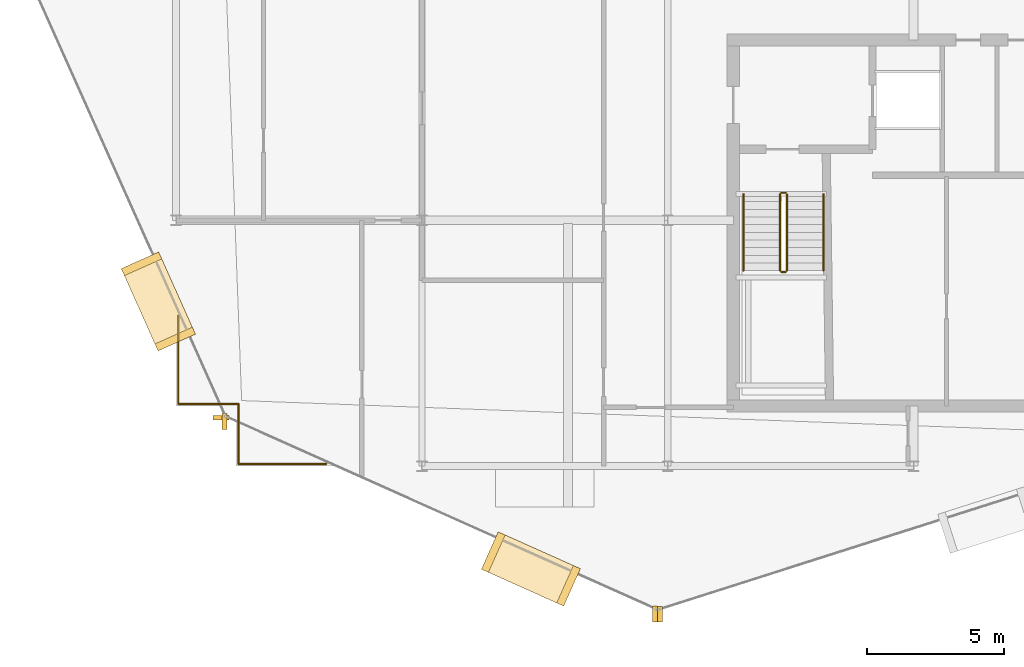
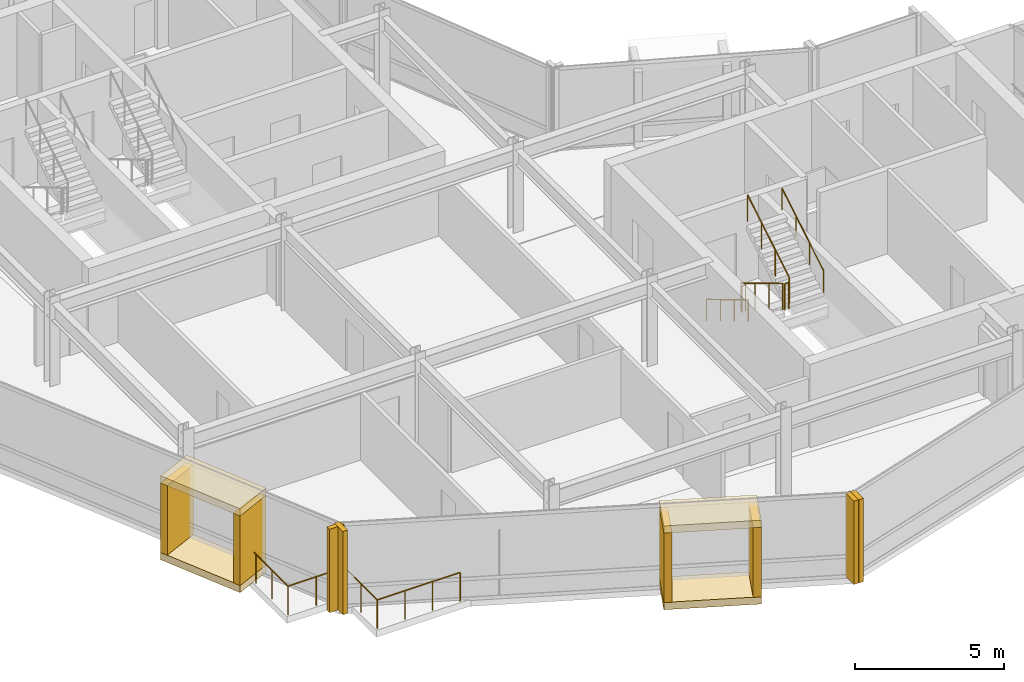
# One storey, part 16 of 19: 12 coverings, 10 railings.
"""IFC4 building model written with IfcOpenShell, lengths in metres."""

from ifc_helpers import new_model, si_unit, direction, frame, origin, origin_2d, place, context, subcontext, project, spatial, rectangle, circle, extrude, material, layer, layer_set, type_object, element, save


model = new_model("IFC4")

# Units and contexts
model_context = context("Model", 3, precision=1e-05, world=origin(), true_north=direction((0.0, 1.0)))
body_context = subcontext(model_context, "Body", "Model", "MODEL_VIEW")
ifc_project = project(units=[si_unit("LENGTHUNIT", "METRE"), si_unit("AREAUNIT", "SQUARE_METRE"), si_unit("VOLUMEUNIT", "CUBIC_METRE"), si_unit("PLANEANGLEUNIT", "RADIAN"), si_unit("MASSUNIT", "GRAM", prefix="KILO")], contexts=[model_context])

# Site, building, storey
site_placement = place(None, origin())
site = spatial("IfcSite", under=ifc_project, at=site_placement, CompositionType="ELEMENT")
building_placement = place(site_placement, origin())
building = spatial("IfcBuilding", under=site, at=building_placement, Name="Solvaryn Broadcast Tower", CompositionType="ELEMENT")
storey_placement = place(building_placement, frame((0.0, 0.0, 263.0)))
storey = spatial("IfcBuildingStorey", under=building, at=storey_placement, Name="L66", CompositionType="ELEMENT", Elevation=263.0)

# Coverings
ifc_material_1 = material(Name="Glazed Architectural Terracotta Rainscreen Cladding", Category="masonry")
ifc_layer_1 = layer(ifc_material_1, 0.280029296875)
ifc_layer_set_1 = layer_set([ifc_layer_1], Name="CV-TC-CLAD")
covering_type_1 = type_object("IfcCoveringType", Name="CV-TC-CLAD", PredefinedType="CLADDING", material=ifc_layer_set_1)
for number, where, z_axis, x_axis, name in (
    (1, (8.35107421875, 15.030029296875, 3.1298828125), (0.0, 0.0, 1.0), (0.408489773781, -0.91276289622, 0.0), "L66 Projecting Stone Window Box Hood 2"),
    (2, (8.35107421875, 15.030029296875, -0.01025390625), (0.0, 0.0, 1.0), (0.408489773781, -0.91276289622, 0.0), "L66 Projecting Stone Window Box Sill 2"),
):
    element("IfcCovering", number, at=place(storey_placement, frame(where, z_axis=z_axis, x_axis=x_axis)), inside=storey, type_object=covering_type_1, Name=name, PredefinedType="CLADDING", context=body_context, shape_type="SweptSolid", body=[
        extrude(rectangle(XDim=3.300048828125, YDim=1.5, at=origin_2d()), origin(), (0.0, 0.0, 1.0), 0.300048828125),
    ])
for number, where, z_axis, x_axis, name in (
    (3, (7.734130859375, 16.408203125, 0.27978515625), (0.0, 0.0, 1.0), (0.408489773781, -0.91276289622, 0.0), "L66 Projecting Stone Window Box Cheek 2-1"),
    (4, (8.9677734375, 13.651611328125, 0.27978515625), (0.0, 0.0, 1.0), (0.408489773781, -0.91276289622, 0.0), "L66 Projecting Stone Window Box Cheek 2-2"),
):
    element("IfcCovering", number, at=place(storey_placement, frame(where, z_axis=z_axis, x_axis=x_axis)), inside=storey, type_object=covering_type_1, Name=name, PredefinedType="CLADDING", context=body_context, shape_type="SweptSolid", body=[
        extrude(rectangle(XDim=0.280029296875, YDim=1.5, at=origin_2d()), origin(), (0.0, 0.0, 1.0), 2.860107421875),
    ])
for number, where, z_axis, x_axis, name in (
    (5, (21.989990234375, 5.236083984375, 3.1298828125), (0.0, 0.0, 1.0), (0.91276289622, -0.408489773781, 0.0), "L66 Projecting Stone Window Box Hood 3"),
    (6, (21.989990234375, 5.236083984375, -0.01025390625), (0.0, 0.0, 1.0), (0.91276289622, -0.408489773781, 0.0), "L66 Projecting Stone Window Box Sill 3"),
):
    element("IfcCovering", number, at=place(storey_placement, frame(where, z_axis=z_axis, x_axis=x_axis)), inside=storey, type_object=covering_type_1, Name=name, PredefinedType="CLADDING", context=body_context, shape_type="SweptSolid", body=[
        extrude(rectangle(XDim=3.300048828125, YDim=1.5, at=origin_2d()), origin(), (0.0, 0.0, 1.0), 0.300048828125),
    ])
for number, where, z_axis, x_axis, name in (
    (7, (20.61181640625, 5.852783203125, 0.27978515625), (0.0, 0.0, 1.0), (0.91276289622, -0.408489773781, 0.0), "L66 Projecting Stone Window Box Cheek 3-1"),
    (8, (23.368408203125, 4.619140625, 0.27978515625), (0.0, 0.0, 1.0), (0.91276289622, -0.408489773781, 0.0), "L66 Projecting Stone Window Box Cheek 3-2"),
):
    element("IfcCovering", number, at=place(storey_placement, frame(where, z_axis=z_axis, x_axis=x_axis)), inside=storey, type_object=covering_type_1, Name=name, PredefinedType="CLADDING", context=body_context, shape_type="SweptSolid", body=[
        extrude(rectangle(XDim=0.280029296875, YDim=1.5, at=origin_2d()), origin(), (0.0, 0.0, 1.0), 2.860107421875),
    ])
ifc_material_2 = material(Name="Extruded Architectural Terracotta Fin", Category="masonry")
ifc_layer_2 = layer(ifc_material_2, 0.179931640625)
ifc_layer_set_2 = layer_set([ifc_layer_2], Name="CV-TC-FIN")
covering_type_2 = type_object("IfcCoveringType", Name="CV-TC-FIN", PredefinedType="USERDEFINED", material=ifc_layer_set_2)
covering_placement = place(storey_placement, frame((10.640380859375, 10.77099609375, 0.0), z_axis=(0.0, 0.0, 1.0), x_axis=(1.0, 0.0, 0.0)))
element("IfcCovering", 9, at=covering_placement, inside=storey, type_object=covering_type_2, Name="L66 Terracotta Vertical Fin FIN-L66-DR2-M01", ObjectType="FIN", PredefinedType="USERDEFINED", context=body_context, shape_type="SweptSolid", body=[
    extrude(rectangle(XDim=0.580078125, YDim=0.179931640625, at=origin_2d()), origin(), (0.0, 0.0, 1.0), 3.419921875),
])
for number, where, z_axis, x_axis, name in (
    (10, (10.77099609375, 10.640380859375, 0.0), (0.0, 0.0, 1.0), (1.0, 0.0, 0.0), "L66 Terracotta Vertical Fin FIN-L66-DR3-M00"),
    (11, (26.53515625, 3.5859375, 0.0), (0.0, 0.0, 1.0), (1.0, 0.0, 0.0), "L66 Terracotta Vertical Fin FIN-L66-DR3-M01"),
    (12, (26.71923828125, 3.575439453125, 0.0), (0.0, 0.0, 1.0), (1.0, 0.0, 0.0), "L66 Terracotta Vertical Fin FIN-L66-DR4-M00"),
):
    element("IfcCovering", number, at=place(storey_placement, frame(where, z_axis=z_axis, x_axis=x_axis)), inside=storey, type_object=covering_type_2, Name=name, ObjectType="FIN", PredefinedType="USERDEFINED", context=body_context, shape_type="SweptSolid", body=[
        extrude(rectangle(XDim=0.179931640625, YDim=0.580078125, at=origin_2d()), origin(), (0.0, 0.0, 1.0), 3.419921875),
    ])

# Railings
ifc_material_3 = material(Name="Stainless Steel and Laminated Glass Guard", Category="steel")
railing_type_1 = type_object("IfcRailingType", Name="RL-SKYG-1200", PredefinedType="BALUSTRADE", material=ifc_material_3)
railing_1_placement = place(storey_placement, frame((9.080078125, 14.5, 0.0)))
element("IfcRailing", 13, at=railing_1_placement, inside=storey, type_object=railing_type_1, Name="L66 Upper SW Corner Balustrade 1", PredefinedType="BALUSTRADE", context=body_context, shape_type="SweptSolid", body=[
    extrude(circle(Radius=0.02392578125, at=origin_2d()), frame((0.0, 0.0, 1.17578125), z_axis=(0.0, -1.0, 0.0), x_axis=(1.0, 0.0, 0.0)), (0.0, 0.0, 1.0), 3.219970703125),
    extrude(circle(Radius=0.02099609375, at=origin_2d()), origin(), (0.0, 0.0, 1.0), 1.15185546875),
    extrude(circle(Radius=0.02099609375, at=origin_2d()), frame((0.0, -1.0732421875, 0.0)), (0.0, 0.0, 1.0), 1.15185546875),
    extrude(circle(Radius=0.02099609375, at=origin_2d()), frame((0.0, -2.146728515625, 0.0)), (0.0, 0.0, 1.0), 1.15185546875),
    extrude(circle(Radius=0.02099609375, at=origin_2d()), frame((0.0, -3.219970703125, 0.0)), (0.0, 0.0, 1.0), 1.15185546875),
])
railing_2_placement = place(storey_placement, frame((9.080078125, 11.280029296875, 0.0)))
element("IfcRailing", 14, at=railing_2_placement, inside=storey, type_object=railing_type_1, Name="L66 Upper SW Corner Balustrade 2", PredefinedType="BALUSTRADE", context=body_context, shape_type="SweptSolid", body=[
    extrude(circle(Radius=0.02392578125, at=origin_2d()), frame((0.0, 0.0, 1.17578125), z_axis=(1.0, 0.0, 0.0), x_axis=(0.0, 1.0, 0.0)), (0.0, 0.0, 1.0), 2.199951171875),
    extrude(circle(Radius=0.02099609375, at=origin_2d()), origin(), (0.0, 0.0, 1.0), 1.15185546875),
    extrude(circle(Radius=0.02099609375, at=origin_2d()), frame((1.10009765625, 0.0, 0.0)), (0.0, 0.0, 1.0), 1.15185546875),
    extrude(circle(Radius=0.02099609375, at=origin_2d()), frame((2.199951171875, 0.0, 0.0)), (0.0, 0.0, 1.0), 1.15185546875),
])
railing_3_placement = place(storey_placement, frame((11.280029296875, 11.280029296875, 0.0)))
element("IfcRailing", 15, at=railing_3_placement, inside=storey, type_object=railing_type_1, Name="L66 Upper SW Corner Balustrade 3", PredefinedType="BALUSTRADE", context=body_context, shape_type="SweptSolid", body=[
    extrude(circle(Radius=0.02392578125, at=origin_2d()), frame((0.0, 0.0, 1.17578125), z_axis=(0.0, -1.0, 0.0), x_axis=(1.0, 0.0, 0.0)), (0.0, 0.0, 1.0), 2.199951171875),
    extrude(circle(Radius=0.02099609375, at=origin_2d()), origin(), (0.0, 0.0, 1.0), 1.15185546875),
    extrude(circle(Radius=0.02099609375, at=origin_2d()), frame((0.0, -1.10009765625, 0.0)), (0.0, 0.0, 1.0), 1.15185546875),
    extrude(circle(Radius=0.02099609375, at=origin_2d()), frame((0.0, -2.199951171875, 0.0)), (0.0, 0.0, 1.0), 1.15185546875),
])
railing_4_placement = place(storey_placement, frame((11.280029296875, 9.080078125, 0.0)))
element("IfcRailing", 16, at=railing_4_placement, inside=storey, type_object=railing_type_1, Name="L66 Upper SW Corner Balustrade 4", PredefinedType="BALUSTRADE", context=body_context, shape_type="SweptSolid", body=[
    extrude(circle(Radius=0.02392578125, at=origin_2d()), frame((0.0, 0.0, 1.17578125), z_axis=(1.0, 0.0, 0.0), x_axis=(0.0, 1.0, 0.0)), (0.0, 0.0, 1.0), 3.219970703125),
    extrude(circle(Radius=0.02099609375, at=origin_2d()), origin(), (0.0, 0.0, 1.0), 1.15185546875),
    extrude(circle(Radius=0.02099609375, at=origin_2d()), frame((1.0732421875, 0.0, 0.0)), (0.0, 0.0, 1.0), 1.15185546875),
    extrude(circle(Radius=0.02099609375, at=origin_2d()), frame((2.146728515625, 0.0, 0.0)), (0.0, 0.0, 1.0), 1.15185546875),
    extrude(circle(Radius=0.02099609375, at=origin_2d()), frame((3.219970703125, 0.0, 0.0)), (0.0, 0.0, 1.0), 1.15185546875),
])
ifc_material_4 = material(Name="Painted Steel Stair Well Guard", Category="steel")
railing_type_2 = type_object("IfcRailingType", Name="RL-STAIR-GUARD", PredefinedType="BALUSTRADE", material=ifc_material_4)
railing_5_placement = place(storey_placement, frame((31.110107421875, 18.9599609375, 0.168212890625)))
element("IfcRailing", 17, at=railing_5_placement, inside=storey, type_object=railing_type_2, Name="L66 ST3 stair guard 1", PredefinedType="BALUSTRADE", context=body_context, shape_type="SweptSolid", body=[
    extrude(circle(Radius=0.02392578125, at=origin_2d()), frame((0.0, 0.0, 1.076171875), z_axis=(0.0, -0.857242210791, 0.514913383045), x_axis=(1.0, 0.0, 0.0)), (0.0, 0.0, 1.0), 3.266357421875),
    extrude(circle(Radius=0.02099609375, at=origin_2d()), origin(), (0.0, 0.0, 1.0), 1.052001953125),
    extrude(circle(Radius=0.02099609375, at=origin_2d()), frame((0.0, -0.933349609375, 0.560546875)), (0.0, 0.0, 1.0), 1.052001953125),
    extrude(circle(Radius=0.02099609375, at=origin_2d()), frame((0.0, -1.86669921875, 1.121337890625)), (0.0, 0.0, 1.0), 1.052001953125),
    extrude(circle(Radius=0.02099609375, at=origin_2d()), frame((0.0, -2.800048828125, 1.681884765625)), (0.0, 0.0, 1.0), 1.052001953125),
])
railing_6_placement = place(storey_placement, frame((31.159912109375, 16.110107421875, 1.85009765625)))
element("IfcRailing", 18, at=railing_6_placement, inside=storey, type_object=railing_type_2, Name="L66 ST3 stair guard 2", PredefinedType="BALUSTRADE", context=body_context, shape_type="SweptSolid", body=[
    extrude(circle(Radius=0.02392578125, at=origin_2d()), frame((0.0, 0.0, 1.076171875), z_axis=(1.0, 0.0, 0.0), x_axis=(0.0, 1.0, 0.0)), (0.0, 0.0, 1.0), 0.150146484375),
    extrude(circle(Radius=0.02099609375, at=origin_2d()), origin(), (0.0, 0.0, 1.0), 1.052001953125),
    extrude(circle(Radius=0.02099609375, at=origin_2d()), frame((0.150146484375, 0.0, 0.0)), (0.0, 0.0, 1.0), 1.052001953125),
])
railing_7_placement = place(storey_placement, frame((31.360107421875, 16.159912109375, 2.01806640625)))
element("IfcRailing", 19, at=railing_7_placement, inside=storey, type_object=railing_type_2, Name="L66 ST3 stair guard 3", PredefinedType="BALUSTRADE", context=body_context, shape_type="SweptSolid", body=[
    extrude(circle(Radius=0.02392578125, at=origin_2d()), frame((0.0, 0.0, 1.076171875), z_axis=(0.0, 0.857242210791, 0.514913383045), x_axis=(-1.0, 0.0, 0.0)), (0.0, 0.0, 1.0), 3.266357421875),
    extrude(circle(Radius=0.02099609375, at=origin_2d()), origin(), (0.0, 0.0, 1.0), 1.052001953125),
    extrude(circle(Radius=0.02099609375, at=origin_2d()), frame((0.0, 0.933349609375, 0.560546875)), (0.0, 0.0, 1.0), 1.052001953125),
    extrude(circle(Radius=0.02099609375, at=origin_2d()), frame((0.0, 1.86669921875, 1.121337890625)), (0.0, 0.0, 1.0), 1.052001953125),
    extrude(circle(Radius=0.02099609375, at=origin_2d()), frame((0.0, 2.800048828125, 1.681884765625)), (0.0, 0.0, 1.0), 1.052001953125),
])
railing_8_placement = place(storey_placement, frame((31.159912109375, 19.010009765625, 0.0)))
element("IfcRailing", 20, at=railing_8_placement, inside=storey, type_object=railing_type_2, Name="L66 ST3 stair guard 4", PredefinedType="BALUSTRADE", context=body_context, shape_type="SweptSolid", body=[
    extrude(circle(Radius=0.02392578125, at=origin_2d()), frame((0.0, 0.0, 1.076171875), z_axis=(1.0, 0.0, 0.0), x_axis=(0.0, 1.0, 0.0)), (0.0, 0.0, 1.0), 0.150146484375),
    extrude(circle(Radius=0.02099609375, at=origin_2d()), origin(), (0.0, 0.0, 1.0), 1.052001953125),
    extrude(circle(Radius=0.02099609375, at=origin_2d()), frame((0.150146484375, 0.0, 0.0)), (0.0, 0.0, 1.0), 1.052001953125),
])
ifc_material_5 = material(Name="Brushed Stainless Steel Tubular Handrail", Category="steel")
railing_type_3 = type_object("IfcRailingType", Name="RL-STAIR-HANDRAIL", PredefinedType="HANDRAIL", material=ifc_material_5)
railing_9_placement = place(storey_placement, frame((29.77001953125, 18.9599609375, 0.168212890625)))
element("IfcRailing", 21, at=railing_9_placement, inside=storey, type_object=railing_type_3, Name="L66 ST3 stair handrail 1", PredefinedType="HANDRAIL", context=body_context, shape_type="SweptSolid", body=[
    extrude(circle(Radius=0.02392578125, at=origin_2d()), frame((0.0, 0.0, 0.8759765625), z_axis=(0.0, -0.857242210791, 0.514913383045), x_axis=(1.0, 0.0, 0.0)), (0.0, 0.0, 1.0), 3.266357421875),
    extrude(circle(Radius=0.02099609375, at=origin_2d()), origin(), (0.0, 0.0, 1.0), 0.851806640625),
    extrude(circle(Radius=0.02099609375, at=origin_2d()), frame((0.0, -0.933349609375, 0.560546875)), (0.0, 0.0, 1.0), 0.851806640625),
    extrude(circle(Radius=0.02099609375, at=origin_2d()), frame((0.0, -1.86669921875, 1.121337890625)), (0.0, 0.0, 1.0), 0.851806640625),
    extrude(circle(Radius=0.02099609375, at=origin_2d()), frame((0.0, -2.800048828125, 1.681884765625)), (0.0, 0.0, 1.0), 0.851806640625),
])
railing_10_placement = place(storey_placement, frame((32.699951171875, 16.159912109375, 2.01806640625)))
element("IfcRailing", 22, at=railing_10_placement, inside=storey, type_object=railing_type_3, Name="L66 ST3 stair handrail 2", PredefinedType="HANDRAIL", context=body_context, shape_type="SweptSolid", body=[
    extrude(circle(Radius=0.02392578125, at=origin_2d()), frame((0.0, 0.0, 0.8759765625), z_axis=(0.0, 0.857242210791, 0.514913383045), x_axis=(-1.0, 0.0, 0.0)), (0.0, 0.0, 1.0), 3.266357421875),
    extrude(circle(Radius=0.02099609375, at=origin_2d()), origin(), (0.0, 0.0, 1.0), 0.851806640625),
    extrude(circle(Radius=0.02099609375, at=origin_2d()), frame((0.0, 0.933349609375, 0.560546875)), (0.0, 0.0, 1.0), 0.851806640625),
    extrude(circle(Radius=0.02099609375, at=origin_2d()), frame((0.0, 1.86669921875, 1.121337890625)), (0.0, 0.0, 1.0), 0.851806640625),
    extrude(circle(Radius=0.02099609375, at=origin_2d()), frame((0.0, 2.800048828125, 1.681884765625)), (0.0, 0.0, 1.0), 0.851806640625),
])

save(model, "model.ifc")
